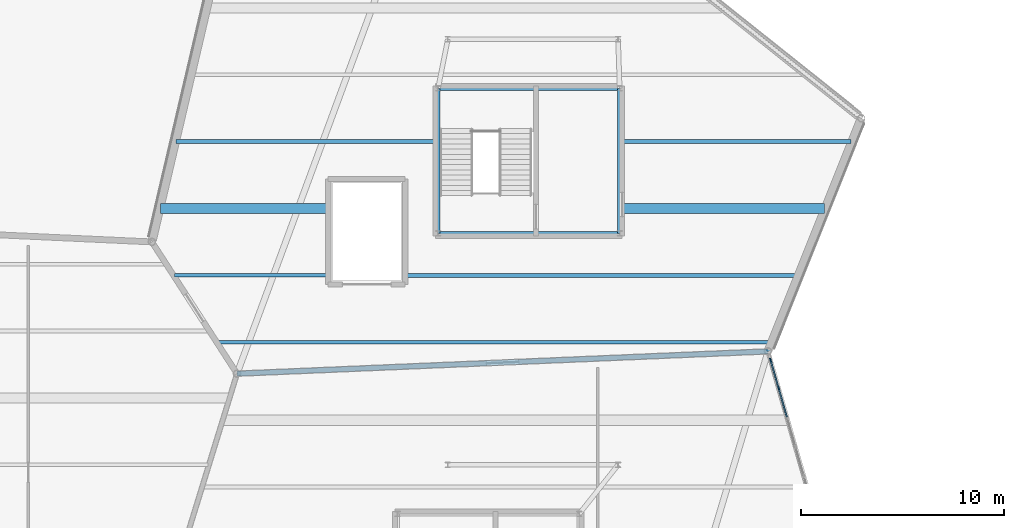
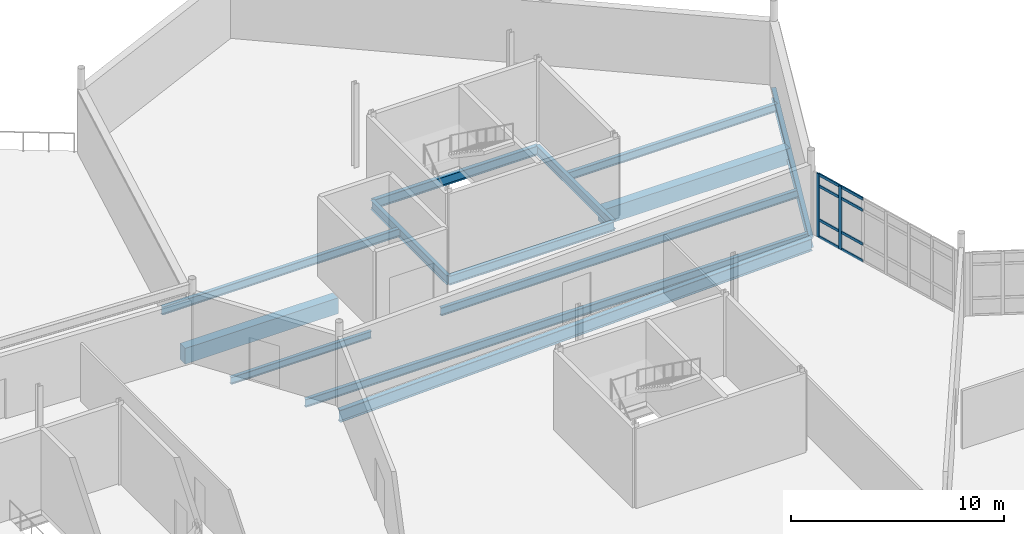
# One storey, part 47 of 114: 13 beams, 10 members, 1 element without a shape of its own.
"""IFC4 building model written with IfcOpenShell, lengths in metres."""

from ifc_helpers import new_model, si_unit, direction, frame, origin, origin_2d, place, context, subcontext, project, spatial, rectangle, i_section, extrude, material, material_profile, profile_set, type_object, element, aggregate, save


model = new_model("IFC4")

# Units and contexts
model_context = context("Model", 3, precision=1e-05, world=origin(), true_north=direction((0.0, 1.0)))
body_context = subcontext(model_context, "Body", "Model", "MODEL_VIEW")
ifc_project = project(units=[si_unit("LENGTHUNIT", "METRE"), si_unit("AREAUNIT", "SQUARE_METRE"), si_unit("VOLUMEUNIT", "CUBIC_METRE"), si_unit("PLANEANGLEUNIT", "RADIAN"), si_unit("MASSUNIT", "GRAM", prefix="KILO")], contexts=[model_context])

# Site, building, storey
site_placement = place(None, origin())
site = spatial("IfcSite", under=ifc_project, at=site_placement, CompositionType="ELEMENT")
building_placement = place(site_placement, origin())
building = spatial("IfcBuilding", under=site, at=building_placement, Name="Tameran Prism Museum", CompositionType="ELEMENT")
storey_placement = place(building_placement, frame((0.0, 0.0, 10.199951171875)))
storey = spatial("IfcBuildingStorey", under=building, at=storey_placement, Name="L02", CompositionType="ELEMENT", Elevation=10.199951171875)

# Beams
ifc_material_1 = material(Name="Steel Grade 300PLUS (300 MPa)", Category="steel")
ifc_material_profile_1 = material_profile(ifc_material_1, i_section(OverallWidth=0.177978515625, OverallDepth=0.406005859375, WebThickness=0.0078125, FlangeThickness=0.0126953125, FilletRadius=0.011474609375, at=origin_2d()))
ifc_profile_set_1 = profile_set([ifc_material_profile_1])
beam_type_1 = type_object("IfcBeamType", Name="BM-J410A", PredefinedType="JOIST", material=ifc_profile_set_1)
beam_1_placement = place(storey_placement, frame((28.513916015625, 86.35009765625, -0.462890625), z_axis=(1.0, 0.0, 0.0), x_axis=(0.0, 1.0, 0.0)))
element("IfcBeam", 1, at=beam_1_placement, inside=storey, type_object=beam_type_1, Name="Floor Beam BM-0915", PredefinedType="JOIST", context=body_context, shape_type="SweptSolid", body=[
    extrude(i_section(OverallWidth=0.177978515625, OverallDepth=0.406005859375, WebThickness=0.0078125, FlangeThickness=0.0126953125, FilletRadius=0.011474609375, at=origin_2d()), origin(), (0.0, 0.0, 1.0), 7.606201171875),
])
ifc_material_2 = material(Name="Steel Grade 300PLUS (300 MPa)", Category="steel")
ifc_material_profile_2 = material_profile(ifc_material_2, i_section(OverallWidth=0.19091796875, OverallDepth=0.4599609375, WebThickness=0.010009765625, FlangeThickness=0.01611328125, FilletRadius=0.011474609375, at=origin_2d()))
ifc_profile_set_2 = profile_set([ifc_material_profile_2])
beam_type_2 = type_object("IfcBeamType", Name="BM-J460A", PredefinedType="JOIST", material=ifc_profile_set_2)
beam_2_placement = place(storey_placement, frame((30.64599609375, 83.050048828125, -0.489990234375), z_axis=(1.0, 0.0, 0.0), x_axis=(0.0, 1.0, 0.0)))
element("IfcBeam", 2, at=beam_2_placement, inside=storey, type_object=beam_type_2, Name="Floor Beam BM-0914", PredefinedType="JOIST", context=body_context, shape_type="SweptSolid", body=[
    extrude(i_section(OverallWidth=0.19091796875, OverallDepth=0.4599609375, WebThickness=0.010009765625, FlangeThickness=0.01611328125, FilletRadius=0.011474609375, at=origin_2d()), origin(), (0.0, 0.0, 1.0), 27.291015625),
])
beam_3_placement = place(storey_placement, frame((39.8798828125, 86.35009765625, -0.489990234375), z_axis=(1.0, 0.0, 0.0), x_axis=(0.0, 1.0, 0.0)))
element("IfcBeam", 3, at=beam_3_placement, inside=storey, type_object=beam_type_2, Name="Floor Beam BM-0916", PredefinedType="JOIST", context=body_context, shape_type="SweptSolid", body=[
    extrude(i_section(OverallWidth=0.19091796875, OverallDepth=0.4599609375, WebThickness=0.010009765625, FlangeThickness=0.01611328125, FilletRadius=0.011474609375, at=origin_2d()), origin(), (0.0, 0.0, 1.0), 19.377197265625),
])
beam_4_placement = place(storey_placement, frame((28.60107421875, 92.949951171875, -0.489990234375), z_axis=(1.0, 0.0, 0.0), x_axis=(0.0, 1.0, 0.0)))
element("IfcBeam", 4, at=beam_4_placement, inside=storey, type_object=beam_type_2, Name="Floor Beam BM-0919", PredefinedType="JOIST", context=body_context, shape_type="SweptSolid", body=[
    extrude(i_section(OverallWidth=0.19091796875, OverallDepth=0.4599609375, WebThickness=0.010009765625, FlangeThickness=0.01611328125, FilletRadius=0.011474609375, at=origin_2d()), origin(), (0.0, 0.0, 1.0), 12.9189453125),
])
beam_5_placement = place(storey_placement, frame((50.47998046875, 92.949951171875, -0.489990234375), z_axis=(1.0, 0.0, 0.0), x_axis=(0.0, 1.0, 0.0)))
element("IfcBeam", 5, at=beam_5_placement, inside=storey, type_object=beam_type_2, Name="Floor Beam BM-0920", PredefinedType="JOIST", context=body_context, shape_type="SweptSolid", body=[
    extrude(i_section(OverallWidth=0.19091796875, OverallDepth=0.4599609375, WebThickness=0.010009765625, FlangeThickness=0.01611328125, FilletRadius=0.011474609375, at=origin_2d()), origin(), (0.0, 0.0, 1.0), 11.4169921875),
])
ifc_material_3 = material(Name="Concrete N40 (40 MPa)", Category="concrete")
ifc_material_profile_3 = material_profile(ifc_material_3, rectangle(XDim=0.5, YDim=0.89990234375, at=origin_2d()))
ifc_profile_set_3 = profile_set([ifc_material_profile_3])
beam_type_3 = type_object("IfcBeamType", Name="BM-RC900", PredefinedType="BEAM", material=ifc_profile_set_3)
beam_6_placement = place(storey_placement, frame((27.827880859375, 89.64990234375, -0.7099609375), z_axis=(1.0, 0.0, 0.0), x_axis=(0.0, 1.0, 0.0)))
element("IfcBeam", 6, at=beam_6_placement, inside=storey, type_object=beam_type_3, Name="Floor Beam BM-0917", PredefinedType="BEAM", context=body_context, shape_type="SweptSolid", body=[
    extrude(rectangle(XDim=0.5, YDim=0.89990234375, at=origin_2d()), origin(), (0.0, 0.0, 1.0), 8.292236328125),
])
beam_7_placement = place(storey_placement, frame((50.47998046875, 89.64990234375, -0.7099609375), z_axis=(1.0, 0.0, 0.0), x_axis=(0.0, 1.0, 0.0)))
element("IfcBeam", 7, at=beam_7_placement, inside=storey, type_object=beam_type_3, Name="Floor Beam BM-0918", PredefinedType="BEAM", context=body_context, shape_type="SweptSolid", body=[
    extrude(rectangle(XDim=0.5, YDim=0.89990234375, at=origin_2d()), origin(), (0.0, 0.0, 1.0), 10.096923828125),
])
ifc_material_4 = material(Name="Steel Grade 300PLUS (300 MPa)", Category="steel")
ifc_material_profile_4 = material_profile(ifc_material_4, i_section(OverallWidth=0.208984375, OverallDepth=0.528076171875, WebThickness=0.009521484375, FlangeThickness=0.01318359375, FilletRadius=0.013916015625, at=origin_2d()))
ifc_profile_set_4 = profile_set([ifc_material_profile_4])
beam_type_4 = type_object("IfcBeamType", Name="BM-SP530B", PredefinedType="SPANDREL", material=ifc_profile_set_4)
beam_8_placement = place(storey_placement, frame((41.52001953125, 88.419921875, -0.52392578125), z_axis=(1.0, 0.0, 0.0), x_axis=(0.0, 1.0, 0.0)))
element("IfcBeam", 8, at=beam_8_placement, inside=storey, type_object=beam_type_4, Name="Core Ring Beam CTB-0801", PredefinedType="SPANDREL", context=body_context, shape_type="SweptSolid", body=[
    extrude(i_section(OverallWidth=0.208984375, OverallDepth=0.528076171875, WebThickness=0.009521484375, FlangeThickness=0.01318359375, FilletRadius=0.013916015625, at=origin_2d()), origin(), (0.0, 0.0, 1.0), 8.9599609375),
])
beam_9_placement = place(storey_placement, frame((50.47998046875, 88.419921875, -0.52392578125), z_axis=(0.0, 1.0, 0.0), x_axis=(-1.0, 0.0, 0.0)))
element("IfcBeam", 9, at=beam_9_placement, inside=storey, type_object=beam_type_4, Name="Core Ring Beam CTB-0802", PredefinedType="SPANDREL", context=body_context, shape_type="SweptSolid", body=[
    extrude(i_section(OverallWidth=0.208984375, OverallDepth=0.528076171875, WebThickness=0.009521484375, FlangeThickness=0.01318359375, FilletRadius=0.013916015625, at=origin_2d()), origin(), (0.0, 0.0, 1.0), 7.16015625),
])
beam_10_placement = place(storey_placement, frame((50.47998046875, 95.580078125, -0.52392578125), z_axis=(-1.0, 0.0, 0.0), x_axis=(0.0, -1.0, 0.0)))
element("IfcBeam", 10, at=beam_10_placement, inside=storey, type_object=beam_type_4, Name="Core Ring Beam CTB-0803", PredefinedType="SPANDREL", context=body_context, shape_type="SweptSolid", body=[
    extrude(i_section(OverallWidth=0.208984375, OverallDepth=0.528076171875, WebThickness=0.009521484375, FlangeThickness=0.01318359375, FilletRadius=0.013916015625, at=origin_2d()), origin(), (0.0, 0.0, 1.0), 8.9599609375),
])
beam_11_placement = place(storey_placement, frame((41.52001953125, 95.580078125, -0.52392578125), z_axis=(0.0, -1.0, 0.0), x_axis=(1.0, 0.0, 0.0)))
element("IfcBeam", 11, at=beam_11_placement, inside=storey, type_object=beam_type_4, Name="Core Ring Beam CTB-0804", PredefinedType="SPANDREL", context=body_context, shape_type="SweptSolid", body=[
    extrude(i_section(OverallWidth=0.208984375, OverallDepth=0.528076171875, WebThickness=0.009521484375, FlangeThickness=0.01318359375, FilletRadius=0.013916015625, at=origin_2d()), origin(), (0.0, 0.0, 1.0), 7.16015625),
])
ifc_material_5 = material(Name="Steel Grade 300PLUS (300 MPa)", Category="steel")
ifc_material_profile_5 = material_profile(ifc_material_5, i_section(OverallWidth=0.22802734375, OverallDepth=0.60205078125, WebThickness=0.010498046875, FlangeThickness=0.014892578125, FilletRadius=0.013916015625, at=origin_2d()))
ifc_profile_set_5 = profile_set([ifc_material_profile_5])
beam_type_5 = type_object("IfcBeamType", Name="BM-SP610", PredefinedType="SPANDREL", material=ifc_profile_set_5)
beam_12_placement = place(storey_placement, frame((57.800048828125, 82.60009765625, -0.56103515625), z_axis=(0.371380480835, 0.928480769028, 0.0), x_axis=(-0.928480769028, 0.371380480835, 0.0)))
element("IfcBeam", 12, at=beam_12_placement, inside=storey, type_object=beam_type_5, Name="Perimeter Spandrel SP-0734", PredefinedType="SPANDREL", context=body_context, shape_type="SweptSolid", body=[
    extrude(i_section(OverallWidth=0.22802734375, OverallDepth=0.60205078125, WebThickness=0.010498046875, FlangeThickness=0.014892578125, FilletRadius=0.013916015625, at=origin_2d()), origin(), (0.0, 0.0, 1.0), 12.3857421875),
])
ifc_material_6 = material(Name="Steel Grade 350 (350 MPa)", Category="steel")
ifc_material_profile_6 = material_profile(ifc_material_6, i_section(OverallWidth=0.25, OverallDepth=0.699951171875, WebThickness=0.010009765625, FlangeThickness=0.02001953125, at=origin_2d()))
ifc_profile_set_6 = profile_set([ifc_material_profile_6])
beam_type_6 = type_object("IfcBeamType", Name="BM-SP700", PredefinedType="SPANDREL", material=ifc_profile_set_6)
beam_13_placement = place(storey_placement, frame((57.800048828125, 82.60009765625, -0.60986328125), z_axis=(-0.999119645224, -0.041951573605, 0.0), x_axis=(0.041951573605, -0.999119645224, 0.0)))
element("IfcBeam", 13, at=beam_13_placement, inside=storey, type_object=beam_type_6, Name="Perimeter Spandrel SP-0730", PredefinedType="SPANDREL", context=body_context, shape_type="SweptSolid", body=[
    extrude(i_section(OverallWidth=0.25, OverallDepth=0.699951171875, WebThickness=0.010009765625, FlangeThickness=0.02001953125, at=origin_2d()), origin(), (0.0, 0.0, 1.0), 26.22314453125),
])

# Curtain wall, members
ifc_material_7 = material(Name="Anodised Aluminium 6063-T6 and Cyclone Solar Glass", Category="aluminium")
curtain_wall_type = type_object("IfcCurtainWallType", Name="CW-FAC-896x362", PredefinedType="USERDEFINED", material=ifc_material_7)
curtain_wall_placement = place(storey_placement, origin())
curtain_wall = element("IfcCurtainWall", 14, at=curtain_wall_placement, inside=storey, type_object=curtain_wall_type, Name="Unitised Curtain Wall CW-124", ObjectType="UNITISED CURTAIN WALL", PredefinedType="USERDEFINED")
ifc_material_8 = material(Name="Anodised Aluminium Alloy 6063-T6", Category="aluminium")
ifc_material_profile_7 = material_profile(ifc_material_8, rectangle(XDim=0.070068359375, YDim=0.179931640625, at=origin_2d()))
ifc_profile_set_7 = profile_set([ifc_material_profile_7])
member_type_1 = type_object("IfcMemberType", Name="CW-MUL-B", PredefinedType="MULLION", material=ifc_profile_set_7)
member_1_placement = place(storey_placement, frame((57.923583984375, 82.17236328125, 0.0), z_axis=(0.0, 0.0, 1.0), x_axis=(0.961186288279, 0.275900197941, 0.0)))
member_1 = element("IfcMember", 15, at=member_1_placement, type_object=member_type_1, Name="CW-124 mullion 1", PredefinedType="MULLION", context=body_context, shape_type="SweptSolid", body=[
    extrude(rectangle(XDim=0.070068359375, YDim=0.179931640625, at=origin_2d()), origin(), (0.0, 0.0, 1.0), 3.6201171875),
])
member_2_placement = place(storey_placement, frame((58.325927734375, 80.770751953125, 0.0), z_axis=(0.0, 0.0, 1.0), x_axis=(0.961186288279, 0.275900197941, 0.0)))
member_2 = element("IfcMember", 16, at=member_2_placement, type_object=member_type_1, Name="CW-124 mullion 2", PredefinedType="MULLION", context=body_context, shape_type="SweptSolid", body=[
    extrude(rectangle(XDim=0.070068359375, YDim=0.179931640625, at=origin_2d()), origin(), (0.0, 0.0, 1.0), 3.6201171875),
])
ifc_material_9 = material(Name="Anodised Aluminium Alloy 6063-T6", Category="aluminium")
ifc_material_profile_8 = material_profile(ifc_material_9, rectangle(XDim=0.070068359375, YDim=0.155029296875, at=origin_2d()))
ifc_profile_set_8 = profile_set([ifc_material_profile_8])
member_type_2 = type_object("IfcMemberType", Name="CW-TRN-B", PredefinedType="USERDEFINED", material=ifc_profile_set_8)
member_3_placement = place(storey_placement, frame((57.933349609375, 82.138671875, 0.03515625), z_axis=(0.275905404571, -0.961184793746, 0.0), x_axis=(0.961184793746, 0.275905404571, 0.0)))
member_3 = element("IfcMember", 17, at=member_3_placement, type_object=member_type_2, Name="CW-124 transom 1.1", ObjectType="TRANSOM", PredefinedType="USERDEFINED", context=body_context, shape_type="SweptSolid", body=[
    extrude(rectangle(XDim=0.070068359375, YDim=0.155029296875, at=origin_2d()), origin(), (0.0, 0.0, 1.0), 1.388427734375),
])
member_4_placement = place(storey_placement, frame((57.933349609375, 82.138671875, 1.0), z_axis=(0.275905404571, -0.961184793746, 0.0), x_axis=(0.961184793746, 0.275905404571, 0.0)))
member_4 = element("IfcMember", 18, at=member_4_placement, type_object=member_type_2, Name="CW-124 transom 1.2", ObjectType="TRANSOM", PredefinedType="USERDEFINED", context=body_context, shape_type="SweptSolid", body=[
    extrude(rectangle(XDim=0.070068359375, YDim=0.155029296875, at=origin_2d()), origin(), (0.0, 0.0, 1.0), 1.388427734375),
])
member_5_placement = place(storey_placement, frame((57.933349609375, 82.138671875, 2.93994140625), z_axis=(0.275905404571, -0.961184793746, 0.0), x_axis=(0.961184793746, 0.275905404571, 0.0)))
member_5 = element("IfcMember", 19, at=member_5_placement, type_object=member_type_2, Name="CW-124 transom 1.3", ObjectType="TRANSOM", PredefinedType="USERDEFINED", context=body_context, shape_type="SweptSolid", body=[
    extrude(rectangle(XDim=0.070068359375, YDim=0.155029296875, at=origin_2d()), origin(), (0.0, 0.0, 1.0), 1.388427734375),
])
member_6_placement = place(storey_placement, frame((57.933349609375, 82.138671875, 3.5849609375), z_axis=(0.275905404571, -0.961184793746, 0.0), x_axis=(0.961184793746, 0.275905404571, 0.0)))
member_6 = element("IfcMember", 20, at=member_6_placement, type_object=member_type_2, Name="CW-124 transom 1.4", ObjectType="TRANSOM", PredefinedType="USERDEFINED", context=body_context, shape_type="SweptSolid", body=[
    extrude(rectangle(XDim=0.070068359375, YDim=0.155029296875, at=origin_2d()), origin(), (0.0, 0.0, 1.0), 1.388427734375),
])
member_7_placement = place(storey_placement, frame((58.335693359375, 80.737060546875, 0.03515625), z_axis=(0.27580834078, -0.961212650331, 0.0), x_axis=(0.961212650331, 0.27580834078, 0.0)))
member_7 = element("IfcMember", 21, at=member_7_placement, type_object=member_type_2, Name="CW-124 transom 2.1", ObjectType="TRANSOM", PredefinedType="USERDEFINED", context=body_context, shape_type="SweptSolid", body=[
    extrude(rectangle(XDim=0.070068359375, YDim=0.155029296875, at=origin_2d()), origin(), (0.0, 0.0, 1.0), 1.42333984375),
])
member_8_placement = place(storey_placement, frame((58.335693359375, 80.737060546875, 1.0), z_axis=(0.27580834078, -0.961212650331, 0.0), x_axis=(0.961212650331, 0.27580834078, 0.0)))
member_8 = element("IfcMember", 22, at=member_8_placement, type_object=member_type_2, Name="CW-124 transom 2.2", ObjectType="TRANSOM", PredefinedType="USERDEFINED", context=body_context, shape_type="SweptSolid", body=[
    extrude(rectangle(XDim=0.070068359375, YDim=0.155029296875, at=origin_2d()), origin(), (0.0, 0.0, 1.0), 1.42333984375),
])
member_9_placement = place(storey_placement, frame((58.335693359375, 80.737060546875, 2.93994140625), z_axis=(0.27580834078, -0.961212650331, 0.0), x_axis=(0.961212650331, 0.27580834078, 0.0)))
member_9 = element("IfcMember", 23, at=member_9_placement, type_object=member_type_2, Name="CW-124 transom 2.3", ObjectType="TRANSOM", PredefinedType="USERDEFINED", context=body_context, shape_type="SweptSolid", body=[
    extrude(rectangle(XDim=0.070068359375, YDim=0.155029296875, at=origin_2d()), origin(), (0.0, 0.0, 1.0), 1.42333984375),
])
member_10_placement = place(storey_placement, frame((58.335693359375, 80.737060546875, 3.5849609375), z_axis=(0.27580834078, -0.961212650331, 0.0), x_axis=(0.961212650331, 0.27580834078, 0.0)))
member_10 = element("IfcMember", 24, at=member_10_placement, type_object=member_type_2, Name="CW-124 transom 2.4", ObjectType="TRANSOM", PredefinedType="USERDEFINED", context=body_context, shape_type="SweptSolid", body=[
    extrude(rectangle(XDim=0.070068359375, YDim=0.155029296875, at=origin_2d()), origin(), (0.0, 0.0, 1.0), 1.42333984375),
])
aggregate(curtain_wall, [member_1, member_2, member_3, member_4, member_5, member_6, member_7, member_8, member_9, member_10])

save(model, "model.ifc")
